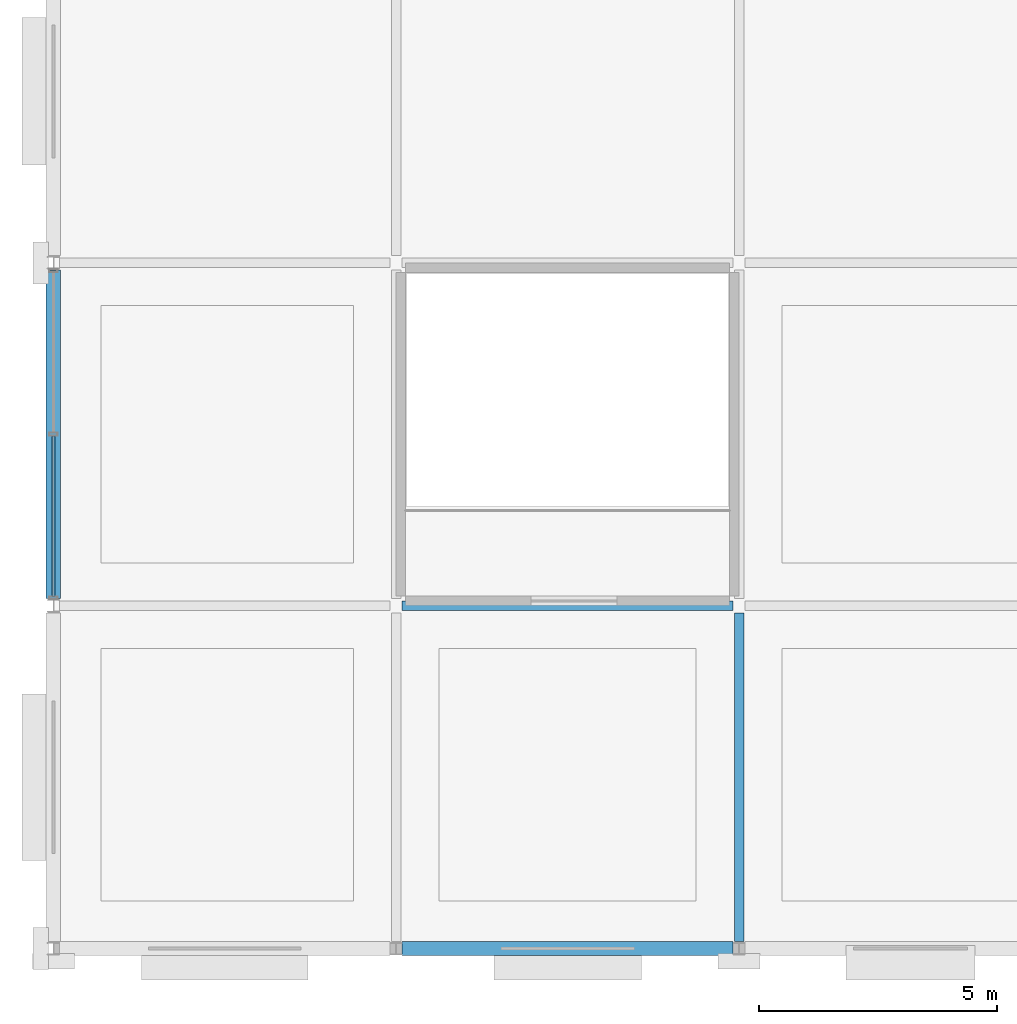
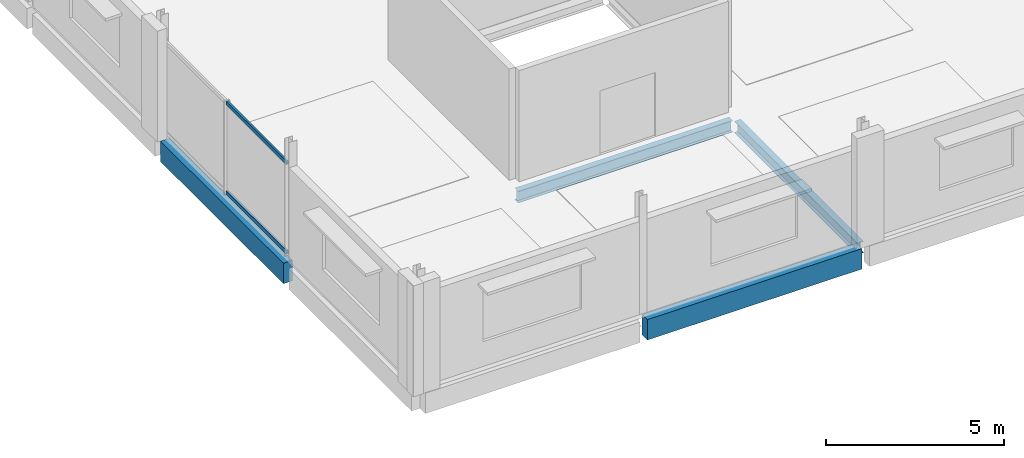
# One storey, part 14 of 107: 4 beams, 2 members, 1 element without a shape of its own.
"""IFC4 building model written with IfcOpenShell, lengths in metres."""

from ifc_helpers import new_model, si_unit, direction, frame, origin, origin_2d, place, context, subcontext, project, spatial, rectangle, hollow_rectangle, i_section, extrude, material, layer, layer_set, material_profile, profile_set, type_object, element, aggregate, save


model = new_model("IFC4")

# Units and contexts
model_context = context("Model", 3, precision=1e-05, world=origin(), true_north=direction((0.0, 1.0)))
body_context = subcontext(model_context, "Body", "Model", "MODEL_VIEW")
ifc_project = project(units=[si_unit("LENGTHUNIT", "METRE"), si_unit("AREAUNIT", "SQUARE_METRE"), si_unit("VOLUMEUNIT", "CUBIC_METRE"), si_unit("PLANEANGLEUNIT", "RADIAN"), si_unit("MASSUNIT", "GRAM", prefix="KILO")], contexts=[model_context])

# Site, building, storey
site_placement = place(None, origin())
site = spatial("IfcSite", under=ifc_project, at=site_placement, CompositionType="ELEMENT")
building_placement = place(site_placement, origin())
building = spatial("IfcBuilding", under=site, at=building_placement, Name="Kangsadwip Square Police Headquarters", CompositionType="ELEMENT")
storey_placement = place(building_placement, frame((0.0, 0.0, 5.39990234375)))
storey = spatial("IfcBuildingStorey", under=building, at=storey_placement, Name="L01", CompositionType="ELEMENT", Elevation=5.39990234375)

# Curtain wall, members
ifc_material_1 = material(Name="Thermally broken anodised aluminium AW-6063-T6", Category="aluminium")
ifc_layer = layer(ifc_material_1, 0.159912109375)
ifc_layer_set = layer_set([ifc_layer], Name="Thermally broken anodised aluminium AW-6063-T6")
curtain_wall_type = type_object("IfcCurtainWallType", Name="UnitisedCw6944x3200", PredefinedType="NOTDEFINED", material=ifc_layer_set)
curtain_wall_placement = place(storey_placement, origin())
curtain_wall = element("IfcCurtainWall", 1, at=curtain_wall_placement, inside=storey, type_object=curtain_wall_type, Name="Curtain Wall CW-L01-0000-0073", PredefinedType="NOTDEFINED")
ifc_material_2 = material(Name="Thermally broken anodised aluminium AW-6063-T6", Category="aluminium")
ifc_material_profile_1 = material_profile(ifc_material_2, hollow_rectangle(XDim=0.06494140625, YDim=0.1298828125, WallThickness=0.00390625, at=origin_2d()), Name="CWT 130X65X4")
ifc_profile_set_1 = profile_set([ifc_material_profile_1], Name="Thermally broken anodised aluminium AW-6063-T6")
member_type = type_object("IfcMemberType", Name="CwTransom140x60", PredefinedType="USERDEFINED", material=ifc_profile_set_1)
member_1_placement = place(storey_placement, frame((0.0, 7.39306640625, 0.065185546875), z_axis=(0.0, 1.0, 0.0), x_axis=(-1.0, 0.0, 0.0)))
member_1 = element("IfcMember", 2, at=member_1_placement, type_object=member_type, Name="CW-27 transom 1.1", ObjectType="TRANSOM", PredefinedType="USERDEFINED", context=body_context, shape_type="SweptSolid", body=[
    extrude(hollow_rectangle(XDim=0.06494140625, YDim=0.1298828125, WallThickness=0.00390625, at=origin_2d()), origin(), (0.0, 0.0, 1.0), 3.37451171875),
])
member_2_placement = place(storey_placement, frame((0.0, 7.39306640625, 3.135009765625), z_axis=(0.0, 1.0, 0.0), x_axis=(-1.0, 0.0, 0.0)))
member_2 = element("IfcMember", 3, at=member_2_placement, type_object=member_type, Name="CW-27 transom 1.2", ObjectType="TRANSOM", PredefinedType="USERDEFINED", context=body_context, shape_type="SweptSolid", body=[
    extrude(hollow_rectangle(XDim=0.06494140625, YDim=0.1298828125, WallThickness=0.00390625, at=origin_2d()), origin(), (0.0, 0.0, 1.0), 3.37451171875),
])
aggregate(curtain_wall, [member_1, member_2])

# Beams
ifc_material_3 = material(Name="Concrete M40 (40 MPa)", Category="concrete")
ifc_material_profile_2 = material_profile(ifc_material_3, rectangle(XDim=0.300048828125, YDim=0.699951171875, at=origin_2d()), Name="RC SPN 700X300")
ifc_profile_set_2 = profile_set([ifc_material_profile_2], Name="Concrete M40 (40 MPa)")
beam_type_1 = type_object("IfcBeamType", Name="RcSpandrel700x300", PredefinedType="SPANDREL", material=ifc_profile_set_2)
beam_1_placement = place(storey_placement, frame((7.324951171875, 0.0, -0.58984375), z_axis=(1.0, 0.0, 0.0), x_axis=(0.0, 1.0, 0.0)))
element("IfcBeam", 4, at=beam_1_placement, inside=storey, type_object=beam_type_1, Name="Beam BM-L01-X-01-00", PredefinedType="SPANDREL", context=body_context, shape_type="SweptSolid", body=[
    extrude(rectangle(XDim=0.300048828125, YDim=0.699951171875, at=origin_2d()), origin(), (0.0, 0.0, 1.0), 6.949951171875),
])
beam_2_placement = place(storey_placement, frame((0.0, 7.35009765625, -0.58984375), z_axis=(0.0, 1.0, 0.0), x_axis=(-1.0, 0.0, 0.0)))
element("IfcBeam", 5, at=beam_2_placement, inside=storey, type_object=beam_type_1, Name="Beam BM-L01-Y-00-01", PredefinedType="SPANDREL", context=body_context, shape_type="SweptSolid", body=[
    extrude(rectangle(XDim=0.300048828125, YDim=0.699951171875, at=origin_2d()), origin(), (0.0, 0.0, 1.0), 6.89990234375),
])
ifc_material_4 = material(Name="Structural steel IS 2062 E350 (Grade 350, 350 MPa)", Category="steel")
ifc_material_profile_3 = material_profile(ifc_material_4, i_section(OverallWidth=0.199951171875, OverallDepth=0.39990234375, WebThickness=0.008544921875, FlangeThickness=0.012939453125, at=origin_2d()), Name="ISWB 400")
ifc_profile_set_3 = profile_set([ifc_material_profile_3], Name="Structural steel IS 2062 E350 (Grade 350, 350 MPa)")
beam_type_2 = type_object("IfcBeamType", Name="SteelBeamIswb400", PredefinedType="BEAM", material=ifc_profile_set_3)
beam_3_placement = place(storey_placement, frame((7.324951171875, 7.199951171875, -0.43994140625), z_axis=(1.0, 0.0, 0.0), x_axis=(0.0, 1.0, 0.0)))
element("IfcBeam", 6, at=beam_3_placement, inside=storey, type_object=beam_type_2, Name="Beam BM-L01-X-01-01", PredefinedType="BEAM", context=body_context, shape_type="SweptSolid", body=[
    extrude(i_section(OverallWidth=0.199951171875, OverallDepth=0.39990234375, WebThickness=0.008544921875, FlangeThickness=0.012939453125, at=origin_2d()), origin(), (0.0, 0.0, 1.0), 6.949951171875),
])
beam_4_placement = place(storey_placement, frame((14.39990234375, 0.14990234375, -0.43994140625), z_axis=(0.0, 1.0, 0.0), x_axis=(-1.0, 0.0, 0.0)))
element("IfcBeam", 7, at=beam_4_placement, inside=storey, type_object=beam_type_2, Name="Beam BM-L01-Y-02-00", PredefinedType="BEAM", context=body_context, shape_type="SweptSolid", body=[
    extrude(i_section(OverallWidth=0.199951171875, OverallDepth=0.39990234375, WebThickness=0.008544921875, FlangeThickness=0.012939453125, at=origin_2d()), origin(), (0.0, 0.0, 1.0), 6.900146484375),
])

save(model, "model.ifc")
